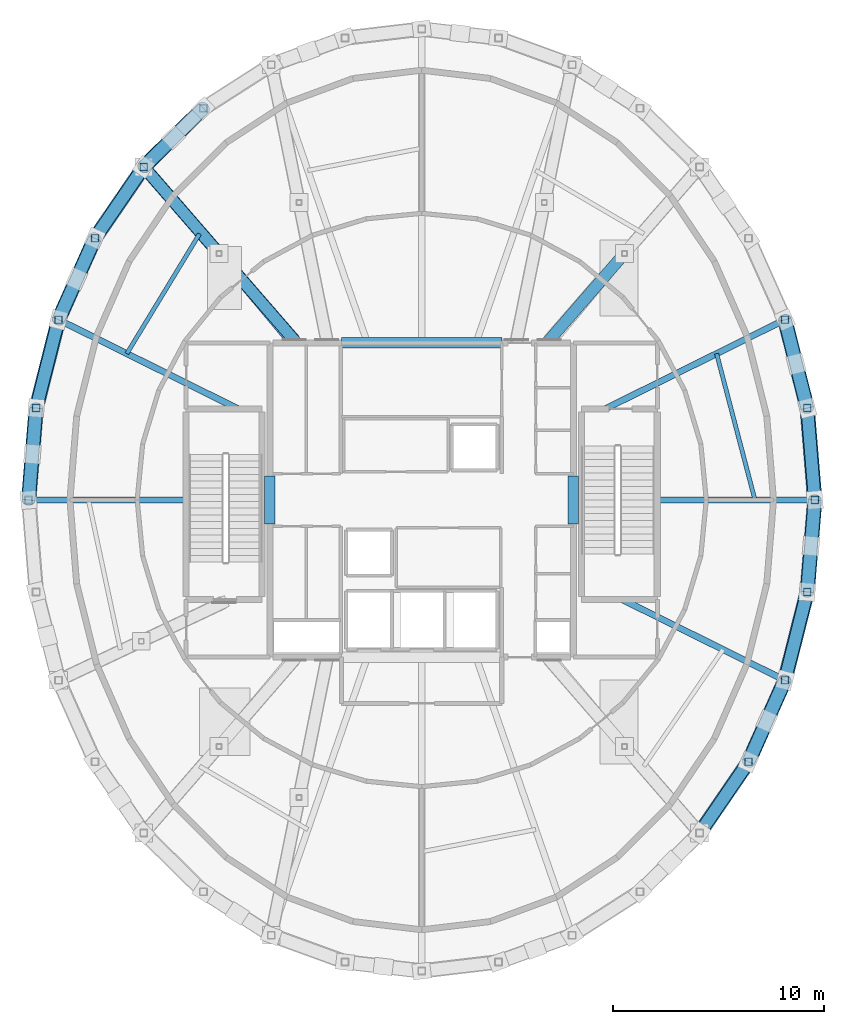
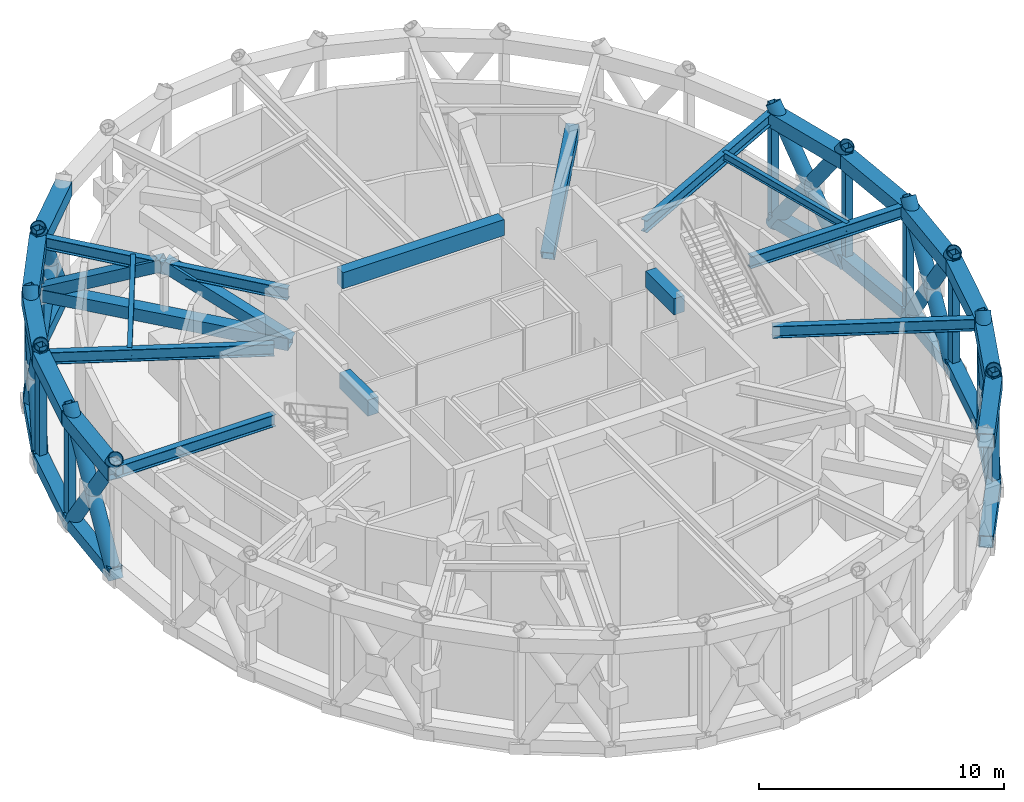
# One storey, part 3 of 11: 34 beams, 30 members.
"""IFC4 building model written with IfcOpenShell, lengths in metres."""

from ifc_helpers import new_model, si_unit, direction, frame, origin, origin_2d, place, context, subcontext, project, spatial, rectangle, hollow_rectangle, hollow_circle, i_section, extrude, material, material_profile, profile_set, type_object, element, save


model = new_model("IFC4")

# Units and contexts
model_context = context("Model", 3, precision=1e-05, world=origin(), true_north=direction((0.0, 1.0)))
body_context = subcontext(model_context, "Body", "Model", "MODEL_VIEW")
ifc_project = project(units=[si_unit("LENGTHUNIT", "METRE"), si_unit("AREAUNIT", "SQUARE_METRE"), si_unit("VOLUMEUNIT", "CUBIC_METRE"), si_unit("PLANEANGLEUNIT", "RADIAN"), si_unit("MASSUNIT", "GRAM", prefix="KILO")], contexts=[model_context])

# Site, building, storey
site_placement = place(None, origin())
site = spatial("IfcSite", under=ifc_project, at=site_placement, CompositionType="ELEMENT")
building_placement = place(site_placement, origin())
building = spatial("IfcBuilding", under=site, at=building_placement, Name="Veldorina Hangang Commons", CompositionType="ELEMENT")
storey_placement = place(building_placement, frame((0.0, 0.0, 302.39990234375)))
storey = spatial("IfcBuildingStorey", under=building, at=storey_placement, Name="L79", CompositionType="ELEMENT", Elevation=302.39990234375)

# Beams
ifc_material_1 = material(Name="Steel SM460-TMC", Category="steel")
ifc_material_profile_1 = material_profile(ifc_material_1, hollow_rectangle(XDim=0.60009765625, YDim=0.60009765625, WallThickness=0.030029296875, at=origin_2d()), Name="BOX-600x600x30")
ifc_profile_set_1 = profile_set([ifc_material_profile_1], Name="Steel SM460-TMC")
beam_type_1 = type_object("IfcBeamType", Name="BM-BLT600", PredefinedType="BEAM", material=ifc_profile_set_1)
beam_1_placement = place(storey_placement, frame((50.64990234375, 24.0, 0.300048828125), z_axis=(-0.081918593902, 0.996639023906, 0.0), x_axis=(-0.996639023906, -0.081918593902, 0.0)))
element("IfcBeam", 1, at=beam_1_placement, inside=storey, type_object=beam_type_1, Name="L79 perimeter belt truss bottom chord 00", PredefinedType="BEAM", context=body_context, shape_type="SweptSolid", body=[
    extrude(hollow_rectangle(XDim=0.60009765625, YDim=0.60009765625, WallThickness=0.030029296875, at=origin_2d()), origin(), (0.0, 0.0, 1.0), 4.375),
])
beam_2_placement = place(storey_placement, frame((50.29150390625, 28.3603515625, 0.300048828125), z_axis=(-0.245337252872, 0.969437791894, 0.0), x_axis=(-0.969437791894, -0.245337252872, 0.0)))
element("IfcBeam", 2, at=beam_2_placement, inside=storey, type_object=beam_type_1, Name="L79 perimeter belt truss bottom chord 01", PredefinedType="BEAM", context=body_context, shape_type="SweptSolid", body=[
    extrude(hollow_rectangle(XDim=0.60009765625, YDim=0.60009765625, WallThickness=0.030029296875, at=origin_2d()), origin(), (0.0, 0.0, 1.0), 4.32470703125),
])
beam_3_placement = place(storey_placement, frame((21.638671875, 42.583251953125, 0.300048828125), z_axis=(-0.71296414879, -0.701200486694, 0.0), x_axis=(0.701200486694, -0.71296414879, 0.0)))
element("IfcBeam", 3, at=beam_3_placement, inside=storey, type_object=beam_type_1, Name="L79 perimeter belt truss bottom chord 11", PredefinedType="BEAM", context=body_context, shape_type="SweptSolid", body=[
    extrude(hollow_rectangle(XDim=0.60009765625, YDim=0.60009765625, WallThickness=0.030029296875, at=origin_2d()), origin(), (0.0, 0.0, 1.0), 3.9638671875),
])
beam_4_placement = place(storey_placement, frame((18.8125, 39.8037109375, 0.300048828125), z_axis=(-0.565033546044, -0.825067931655, 0.0), x_axis=(0.825067931655, -0.565033546044, 0.0)))
element("IfcBeam", 4, at=beam_4_placement, inside=storey, type_object=beam_type_1, Name="L79 perimeter belt truss bottom chord 12", PredefinedType="BEAM", context=body_context, shape_type="SweptSolid", body=[
    extrude(hollow_rectangle(XDim=0.60009765625, YDim=0.60009765625, WallThickness=0.030029296875, at=origin_2d()), origin(), (0.0, 0.0, 1.0), 4.104736328125),
])
beam_5_placement = place(storey_placement, frame((16.4931640625, 36.4169921875, 0.300048828125), z_axis=(-0.407380183428, -0.913258663331, 0.0), x_axis=(0.913258663331, -0.407380183428, 0.0)))
element("IfcBeam", 5, at=beam_5_placement, inside=storey, type_object=beam_type_1, Name="L79 perimeter belt truss bottom chord 13", PredefinedType="BEAM", context=body_context, shape_type="SweptSolid", body=[
    extrude(hollow_rectangle(XDim=0.60009765625, YDim=0.60009765625, WallThickness=0.030029296875, at=origin_2d()), origin(), (0.0, 0.0, 1.0), 4.23095703125),
])
beam_6_placement = place(storey_placement, frame((14.76953125, 32.552978515625, 0.300048828125), z_axis=(-0.245337252872, -0.969437791894, 0.0), x_axis=(0.969437791894, -0.245337252872, 0.0)))
element("IfcBeam", 6, at=beam_6_placement, inside=storey, type_object=beam_type_1, Name="L79 perimeter belt truss bottom chord 14", PredefinedType="BEAM", context=body_context, shape_type="SweptSolid", body=[
    extrude(hollow_rectangle(XDim=0.60009765625, YDim=0.60009765625, WallThickness=0.030029296875, at=origin_2d()), origin(), (0.0, 0.0, 1.0), 4.32470703125),
])
beam_7_placement = place(storey_placement, frame((13.70849609375, 28.3603515625, 0.300048828125), z_axis=(-0.081918593902, -0.996639023906, 0.0), x_axis=(0.996639023906, -0.081918593902, 0.0)))
element("IfcBeam", 7, at=beam_7_placement, inside=storey, type_object=beam_type_1, Name="L79 perimeter belt truss bottom chord 15", PredefinedType="BEAM", context=body_context, shape_type="SweptSolid", body=[
    extrude(hollow_rectangle(XDim=0.60009765625, YDim=0.60009765625, WallThickness=0.030029296875, at=origin_2d()), origin(), (0.0, 0.0, 1.0), 4.375),
])
beam_8_placement = place(storey_placement, frame((45.1875, 8.1962890625, 0.300048828125), z_axis=(0.565033546044, 0.825067931655, 0.0), x_axis=(-0.825067931655, 0.565033546044, 0.0)))
element("IfcBeam", 8, at=beam_8_placement, inside=storey, type_object=beam_type_1, Name="L79 perimeter belt truss bottom chord 28", PredefinedType="BEAM", context=body_context, shape_type="SweptSolid", body=[
    extrude(hollow_rectangle(XDim=0.60009765625, YDim=0.60009765625, WallThickness=0.030029296875, at=origin_2d()), origin(), (0.0, 0.0, 1.0), 4.104736328125),
])
beam_9_placement = place(storey_placement, frame((47.5068359375, 11.5830078125, 0.300048828125), z_axis=(0.407380183428, 0.913258663331, 0.0), x_axis=(-0.913258663331, 0.407380183428, 0.0)))
element("IfcBeam", 9, at=beam_9_placement, inside=storey, type_object=beam_type_1, Name="L79 perimeter belt truss bottom chord 29", PredefinedType="BEAM", context=body_context, shape_type="SweptSolid", body=[
    extrude(hollow_rectangle(XDim=0.60009765625, YDim=0.60009765625, WallThickness=0.030029296875, at=origin_2d()), origin(), (0.0, 0.0, 1.0), 4.23095703125),
])
beam_10_placement = place(storey_placement, frame((49.23046875, 15.447021484375, 0.300048828125), z_axis=(0.245337252872, 0.969437791894, 0.0), x_axis=(-0.969437791894, 0.245337252872, 0.0)))
element("IfcBeam", 10, at=beam_10_placement, inside=storey, type_object=beam_type_1, Name="L79 perimeter belt truss bottom chord 30", PredefinedType="BEAM", context=body_context, shape_type="SweptSolid", body=[
    extrude(hollow_rectangle(XDim=0.60009765625, YDim=0.60009765625, WallThickness=0.030029296875, at=origin_2d()), origin(), (0.0, 0.0, 1.0), 4.32470703125),
])
beam_11_placement = place(storey_placement, frame((50.29150390625, 19.6396484375, 0.300048828125), z_axis=(0.081918593902, 0.996639023906, 0.0), x_axis=(-0.996639023906, 0.081918593902, 0.0)))
element("IfcBeam", 11, at=beam_11_placement, inside=storey, type_object=beam_type_1, Name="L79 perimeter belt truss bottom chord 31", PredefinedType="BEAM", context=body_context, shape_type="SweptSolid", body=[
    extrude(hollow_rectangle(XDim=0.60009765625, YDim=0.60009765625, WallThickness=0.030029296875, at=origin_2d()), origin(), (0.0, 0.0, 1.0), 4.375),
])
beam_12_placement = place(storey_placement, frame((25.949951171875, 31.580078125, 2.85009765625), z_axis=(-0.655470688374, 0.755220614578, 0.0), x_axis=(-0.755220614578, -0.655470688374, 0.0)))
element("IfcBeam", 12, at=beam_12_placement, inside=storey, type_object=beam_type_1, Name="L79 outrigger chord 04", PredefinedType="BEAM", context=body_context, shape_type="SweptSolid", body=[
    extrude(hollow_rectangle(XDim=0.60009765625, YDim=0.60009765625, WallThickness=0.030029296875, at=origin_2d()), origin(), (0.0, 0.0, 1.0), 10.88916015625),
])
ifc_material_profile_2 = material_profile(ifc_material_1, hollow_rectangle(XDim=0.699951171875, YDim=0.699951171875, WallThickness=0.034912109375, at=origin_2d()), Name="BOX-700x700x35")
ifc_profile_set_2 = profile_set([ifc_material_profile_2], Name="Steel SM460-TMC")
beam_type_2 = type_object("IfcBeamType", Name="BM-BLT700", PredefinedType="BEAM", material=ifc_profile_set_2)
beam_13_placement = place(storey_placement, frame((50.64990234375, 24.0, 5.330078125), z_axis=(-0.081918593902, 0.996639023906, 0.0), x_axis=(-0.996639023906, -0.081918593902, 0.0)))
element("IfcBeam", 13, at=beam_13_placement, inside=storey, type_object=beam_type_2, Name="L79 perimeter hoop ring beam 00", PredefinedType="BEAM", context=body_context, shape_type="SweptSolid", body=[
    extrude(hollow_rectangle(XDim=0.699951171875, YDim=0.699951171875, WallThickness=0.034912109375, at=origin_2d()), origin(), (0.0, 0.0, 1.0), 4.375),
])
beam_14_placement = place(storey_placement, frame((50.29150390625, 28.3603515625, 5.330078125), z_axis=(-0.245337252872, 0.969437791894, 0.0), x_axis=(-0.969437791894, -0.245337252872, 0.0)))
element("IfcBeam", 14, at=beam_14_placement, inside=storey, type_object=beam_type_2, Name="L79 perimeter hoop ring beam 01", PredefinedType="BEAM", context=body_context, shape_type="SweptSolid", body=[
    extrude(hollow_rectangle(XDim=0.699951171875, YDim=0.699951171875, WallThickness=0.034912109375, at=origin_2d()), origin(), (0.0, 0.0, 1.0), 4.32470703125),
])
beam_15_placement = place(storey_placement, frame((21.638671875, 42.583251953125, 5.330078125), z_axis=(-0.71296414879, -0.701200486694, 0.0), x_axis=(0.701200486694, -0.71296414879, 0.0)))
element("IfcBeam", 15, at=beam_15_placement, inside=storey, type_object=beam_type_2, Name="L79 perimeter hoop ring beam 11", PredefinedType="BEAM", context=body_context, shape_type="SweptSolid", body=[
    extrude(hollow_rectangle(XDim=0.699951171875, YDim=0.699951171875, WallThickness=0.034912109375, at=origin_2d()), origin(), (0.0, 0.0, 1.0), 3.9638671875),
])
beam_16_placement = place(storey_placement, frame((18.8125, 39.8037109375, 5.330078125), z_axis=(-0.565033546044, -0.825067931655, 0.0), x_axis=(0.825067931655, -0.565033546044, 0.0)))
element("IfcBeam", 16, at=beam_16_placement, inside=storey, type_object=beam_type_2, Name="L79 perimeter hoop ring beam 12", PredefinedType="BEAM", context=body_context, shape_type="SweptSolid", body=[
    extrude(hollow_rectangle(XDim=0.699951171875, YDim=0.699951171875, WallThickness=0.034912109375, at=origin_2d()), origin(), (0.0, 0.0, 1.0), 4.104736328125),
])
beam_17_placement = place(storey_placement, frame((16.4931640625, 36.4169921875, 5.330078125), z_axis=(-0.407380183428, -0.913258663331, 0.0), x_axis=(0.913258663331, -0.407380183428, 0.0)))
element("IfcBeam", 17, at=beam_17_placement, inside=storey, type_object=beam_type_2, Name="L79 perimeter hoop ring beam 13", PredefinedType="BEAM", context=body_context, shape_type="SweptSolid", body=[
    extrude(hollow_rectangle(XDim=0.699951171875, YDim=0.699951171875, WallThickness=0.034912109375, at=origin_2d()), origin(), (0.0, 0.0, 1.0), 4.23095703125),
])
beam_18_placement = place(storey_placement, frame((14.76953125, 32.552978515625, 5.330078125), z_axis=(-0.245337252872, -0.969437791894, 0.0), x_axis=(0.969437791894, -0.245337252872, 0.0)))
element("IfcBeam", 18, at=beam_18_placement, inside=storey, type_object=beam_type_2, Name="L79 perimeter hoop ring beam 14", PredefinedType="BEAM", context=body_context, shape_type="SweptSolid", body=[
    extrude(hollow_rectangle(XDim=0.699951171875, YDim=0.699951171875, WallThickness=0.034912109375, at=origin_2d()), origin(), (0.0, 0.0, 1.0), 4.32470703125),
])
beam_19_placement = place(storey_placement, frame((13.70849609375, 28.3603515625, 5.330078125), z_axis=(-0.081918593902, -0.996639023906, 0.0), x_axis=(0.996639023906, -0.081918593902, 0.0)))
element("IfcBeam", 19, at=beam_19_placement, inside=storey, type_object=beam_type_2, Name="L79 perimeter hoop ring beam 15", PredefinedType="BEAM", context=body_context, shape_type="SweptSolid", body=[
    extrude(hollow_rectangle(XDim=0.699951171875, YDim=0.699951171875, WallThickness=0.034912109375, at=origin_2d()), origin(), (0.0, 0.0, 1.0), 4.375),
])
beam_20_placement = place(storey_placement, frame((45.1875, 8.1962890625, 5.330078125), z_axis=(0.565033546044, 0.825067931655, 0.0), x_axis=(-0.825067931655, 0.565033546044, 0.0)))
element("IfcBeam", 20, at=beam_20_placement, inside=storey, type_object=beam_type_2, Name="L79 perimeter hoop ring beam 28", PredefinedType="BEAM", context=body_context, shape_type="SweptSolid", body=[
    extrude(hollow_rectangle(XDim=0.699951171875, YDim=0.699951171875, WallThickness=0.034912109375, at=origin_2d()), origin(), (0.0, 0.0, 1.0), 4.104736328125),
])
beam_21_placement = place(storey_placement, frame((47.5068359375, 11.5830078125, 5.330078125), z_axis=(0.407380183428, 0.913258663331, 0.0), x_axis=(-0.913258663331, 0.407380183428, 0.0)))
element("IfcBeam", 21, at=beam_21_placement, inside=storey, type_object=beam_type_2, Name="L79 perimeter hoop ring beam 29", PredefinedType="BEAM", context=body_context, shape_type="SweptSolid", body=[
    extrude(hollow_rectangle(XDim=0.699951171875, YDim=0.699951171875, WallThickness=0.034912109375, at=origin_2d()), origin(), (0.0, 0.0, 1.0), 4.23095703125),
])
beam_22_placement = place(storey_placement, frame((49.23046875, 15.447021484375, 5.330078125), z_axis=(0.245337252872, 0.969437791894, 0.0), x_axis=(-0.969437791894, 0.245337252872, 0.0)))
element("IfcBeam", 22, at=beam_22_placement, inside=storey, type_object=beam_type_2, Name="L79 perimeter hoop ring beam 30", PredefinedType="BEAM", context=body_context, shape_type="SweptSolid", body=[
    extrude(hollow_rectangle(XDim=0.699951171875, YDim=0.699951171875, WallThickness=0.034912109375, at=origin_2d()), origin(), (0.0, 0.0, 1.0), 4.32470703125),
])
beam_23_placement = place(storey_placement, frame((50.29150390625, 19.6396484375, 5.330078125), z_axis=(0.081918593902, 0.996639023906, 0.0), x_axis=(-0.996639023906, 0.081918593902, 0.0)))
element("IfcBeam", 23, at=beam_23_placement, inside=storey, type_object=beam_type_2, Name="L79 perimeter hoop ring beam 31", PredefinedType="BEAM", context=body_context, shape_type="SweptSolid", body=[
    extrude(hollow_rectangle(XDim=0.699951171875, YDim=0.699951171875, WallThickness=0.034912109375, at=origin_2d()), origin(), (0.0, 0.0, 1.0), 4.375),
])
ifc_material_2 = material(Name="Concrete C50/60", Category="concrete")
ifc_material_profile_3 = material_profile(ifc_material_2, rectangle(XDim=0.5, YDim=0.800048828125, at=origin_2d()), Name="RC-CB-500x800")
ifc_profile_set_3 = profile_set([ifc_material_profile_3], Name="Concrete C50/60")
beam_type_3 = type_object("IfcBeamType", Name="BM-CB800", PredefinedType="LINTEL", material=ifc_profile_set_3)
for number, where, z_axis, x_axis, name in (
    (24, (24.800048828125, 22.85009765625, 5.280029296875), (0.0, 1.0, 0.0), (-1.0, 0.0, 0.0), "L79 W core coupling lintel beam"),
    (25, (39.199951171875, 22.85009765625, 5.280029296875), (0.0, 1.0, 0.0), (-1.0, 0.0, 0.0), "L79 E core coupling lintel beam"),
):
    element("IfcBeam", number, at=place(storey_placement, frame(where, z_axis=z_axis, x_axis=x_axis)), inside=storey, type_object=beam_type_3, Name=name, PredefinedType="LINTEL", context=body_context, shape_type="SweptSolid", body=[
        extrude(rectangle(XDim=0.5, YDim=0.800048828125, at=origin_2d()), origin(), (0.0, 0.0, 1.0), 2.2998046875),
    ])
beam_24_placement = place(storey_placement, frame((28.199951171875, 31.449951171875, 5.280029296875), z_axis=(1.0, 0.0, 0.0), x_axis=(0.0, 1.0, 0.0)))
element("IfcBeam", 26, at=beam_24_placement, inside=storey, type_object=beam_type_3, Name="L79 north core coupling beam", PredefinedType="LINTEL", context=body_context, shape_type="SweptSolid", body=[
    extrude(rectangle(XDim=0.5, YDim=0.800048828125, at=origin_2d()), origin(), (0.0, 0.0, 1.0), 7.60009765625),
])
ifc_material_profile_4 = material_profile(ifc_material_1, i_section(OverallWidth=0.300048828125, OverallDepth=0.587890625, WebThickness=0.011962890625, FlangeThickness=0.02001953125, FilletRadius=0.01806640625, at=origin_2d()), Name="H-588x300x12x20")
ifc_profile_set_4 = profile_set([ifc_material_profile_4], Name="Steel SM460-TMC")
beam_type_4 = type_object("IfcBeamType", Name="BM-FG588", PredefinedType="BEAM", material=ifc_profile_set_4)
beam_25_placement = place(storey_placement, frame((43.179931640625, 24.0, 5.385986328125), z_axis=(1.0, 0.0, 0.0), x_axis=(0.0, 1.0, 0.0)))
element("IfcBeam", 27, at=beam_25_placement, inside=storey, type_object=beam_type_4, Name="L79 radial floor girder 01", PredefinedType="BEAM", context=body_context, shape_type="SweptSolid", body=[
    extrude(i_section(OverallWidth=0.300048828125, OverallDepth=0.587890625, WebThickness=0.011962890625, FlangeThickness=0.02001953125, FilletRadius=0.01806640625, at=origin_2d()), origin(), (0.0, 0.0, 1.0), 7.469970703125),
])
beam_26_placement = place(storey_placement, frame((40.702880859375, 28.320068359375, 5.385986328125), z_axis=(0.895721014961, 0.444616535182, 0.0), x_axis=(-0.444616535182, 0.895721014961, 0.0)))
element("IfcBeam", 28, at=beam_26_placement, inside=storey, type_object=beam_type_4, Name="L79 radial floor girder 02", PredefinedType="BEAM", context=body_context, shape_type="SweptSolid", body=[
    extrude(i_section(OverallWidth=0.300048828125, OverallDepth=0.587890625, WebThickness=0.011962890625, FlangeThickness=0.02001953125, FilletRadius=0.01806640625, at=origin_2d()), origin(), (0.0, 0.0, 1.0), 9.520263671875),
])
beam_27_placement = place(storey_placement, frame((25.783203125, 31.449951171875, 5.385986328125), z_axis=(-0.640685284005, 0.767803599145, 0.0), x_axis=(-0.767803599145, -0.640685284005, 0.0)))
element("IfcBeam", 29, at=beam_27_placement, inside=storey, type_object=beam_type_4, Name="L79 radial floor girder 07", PredefinedType="BEAM", context=body_context, shape_type="SweptSolid", body=[
    extrude(i_section(OverallWidth=0.300048828125, OverallDepth=0.587890625, WebThickness=0.011962890625, FlangeThickness=0.02001953125, FilletRadius=0.01806640625, at=origin_2d()), origin(), (0.0, 0.0, 1.0), 10.880126953125),
])
beam_28_placement = place(storey_placement, frame((23.297119140625, 28.320068359375, 5.385986328125), z_axis=(-0.895721014961, 0.444616535182, 0.0), x_axis=(-0.444616535182, -0.895721014961, 0.0)))
element("IfcBeam", 30, at=beam_28_placement, inside=storey, type_object=beam_type_4, Name="L79 radial floor girder 08", PredefinedType="BEAM", context=body_context, shape_type="SweptSolid", body=[
    extrude(i_section(OverallWidth=0.300048828125, OverallDepth=0.587890625, WebThickness=0.011962890625, FlangeThickness=0.02001953125, FilletRadius=0.01806640625, at=origin_2d()), origin(), (0.0, 0.0, 1.0), 9.520263671875),
])
beam_29_placement = place(storey_placement, frame((20.820068359375, 24.0, 5.385986328125), z_axis=(-1.0, 0.0, 0.0), x_axis=(0.0, -1.0, 0.0)))
element("IfcBeam", 31, at=beam_29_placement, inside=storey, type_object=beam_type_4, Name="L79 radial floor girder 09", PredefinedType="BEAM", context=body_context, shape_type="SweptSolid", body=[
    extrude(i_section(OverallWidth=0.300048828125, OverallDepth=0.587890625, WebThickness=0.011962890625, FlangeThickness=0.02001953125, FilletRadius=0.01806640625, at=origin_2d()), origin(), (0.0, 0.0, 1.0), 7.469970703125),
])
beam_30_placement = place(storey_placement, frame((41.5087890625, 19.280029296875, 5.385986328125), z_axis=(0.895714868119, -0.444628918347, 0.0), x_axis=(0.444628918347, 0.895714868119, 0.0)))
element("IfcBeam", 32, at=beam_30_placement, inside=storey, type_object=beam_type_4, Name="L79 radial floor girder 16", PredefinedType="BEAM", context=body_context, shape_type="SweptSolid", body=[
    extrude(i_section(OverallWidth=0.300048828125, OverallDepth=0.587890625, WebThickness=0.011962890625, FlangeThickness=0.02001953125, FilletRadius=0.01806640625, at=origin_2d()), origin(), (0.0, 0.0, 1.0), 8.62060546875),
])
ifc_material_3 = material(Name="Steel SM355-TMC", Category="steel")
ifc_material_profile_5 = material_profile(ifc_material_3, i_section(OverallWidth=0.199951171875, OverallDepth=0.39990234375, WebThickness=0.008056640625, FlangeThickness=0.012939453125, FilletRadius=0.012939453125, at=origin_2d()), Name="H-400x200x8x13")
ifc_profile_set_5 = profile_set([ifc_material_profile_5], Name="Steel SM355-TMC")
beam_type_5 = type_object("IfcBeamType", Name="BM-JST400", PredefinedType="JOIST", material=ifc_profile_set_5)
beam_31_placement = place(storey_placement, frame((47.811279296875, 24.0, 5.47998046875), z_axis=(-0.253681393209, 0.967287832416, 0.0), x_axis=(-0.967287832416, -0.253681393209, 0.0)))
element("IfcBeam", 33, at=beam_31_placement, inside=storey, type_object=beam_type_5, Name="L79 secondary floor joist 01", PredefinedType="JOIST", context=body_context, shape_type="SweptSolid", body=[
    extrude(i_section(OverallWidth=0.199951171875, OverallDepth=0.39990234375, WebThickness=0.008056640625, FlangeThickness=0.012939453125, FilletRadius=0.012939453125, at=origin_2d()), origin(), (0.0, 0.0, 1.0), 7.179443359375),
])
beam_32_placement = place(storey_placement, frame((21.46142578125, 36.62939453125, 5.47998046875), z_axis=(-0.518969512664, -0.854792749691, 0.0), x_axis=(0.854792749691, -0.518969512664, 0.0)))
element("IfcBeam", 34, at=beam_32_placement, inside=storey, type_object=beam_type_5, Name="L79 secondary floor joist 07", PredefinedType="JOIST", context=body_context, shape_type="SweptSolid", body=[
    extrude(i_section(OverallWidth=0.199951171875, OverallDepth=0.39990234375, WebThickness=0.008056640625, FlangeThickness=0.012939453125, FilletRadius=0.012939453125, at=origin_2d()), origin(), (0.0, 0.0, 1.0), 6.650634765625),
])

# Members
ifc_material_profile_6 = material_profile(ifc_material_1, hollow_circle(Radius=0.324951171875, WallThickness=0.031982421875, at=origin_2d()), Name="CHS-650x32")
ifc_profile_set_6 = profile_set([ifc_material_profile_6], Name="Steel SM460-TMC")
member_type_1 = type_object("IfcMemberType", Name="DG-CHS650", PredefinedType="BRACE", material=ifc_profile_set_6)
member_1_placement = place(storey_placement, frame((50.29150390625, 28.3603515625, 0.0), z_axis=(-0.143456610125, 0.566861565963, 0.81122633466), x_axis=(-0.969437791894, -0.245337252872, 0.0)))
element("IfcMember", 35, at=member_1_placement, inside=storey, type_object=member_type_1, Name="L79 continuous perimeter diagrid brace 01", PredefinedType="BRACE", context=body_context, shape_type="SweptSolid", body=[
    extrude(hollow_circle(Radius=0.324951171875, WallThickness=0.031982421875, at=origin_2d()), origin(), (0.0, 0.0, 1.0), 7.396240234375),
])
member_2_placement = place(storey_placement, frame((49.23046875, 32.552978515625, 0.0), z_axis=(0.143453925838, -0.566883967407, 0.811211155408), x_axis=(0.969441189439, 0.245323827256, 0.0)))
element("IfcMember", 36, at=member_2_placement, inside=storey, type_object=member_type_1, Name="L79 split perimeter diagrid lower brace 02", PredefinedType="BRACE", context=body_context, shape_type="SweptSolid", body=[
    extrude(hollow_circle(Radius=0.324951171875, WallThickness=0.031982421875, at=origin_2d()), origin(), (0.0, 0.0, 1.0), 3.6982421875),
])
member_3_placement = place(storey_placement, frame((49.760986328125, 30.45654296875, 3.0), z_axis=(0.143459294406, -0.566839163262, 0.811241513879), x_axis=(0.969434393792, 0.24535067991, 0.0)))
element("IfcMember", 37, at=member_3_placement, inside=storey, type_object=member_type_1, Name="L79 split perimeter diagrid upper brace 02", PredefinedType="BRACE", context=body_context, shape_type="SweptSolid", body=[
    extrude(hollow_circle(Radius=0.324951171875, WallThickness=0.031982421875, at=origin_2d()), origin(), (0.0, 0.0, 1.0), 3.697998046875),
])
member_4_placement = place(storey_placement, frame((21.638671875, 42.583251953125, 0.0), z_axis=(-0.393005204485, -0.386520754411, 0.834355209522), x_axis=(0.701200486694, -0.71296414879, 0.0)))
element("IfcMember", 38, at=member_4_placement, inside=storey, type_object=member_type_1, Name="L79 continuous perimeter diagrid brace 11", PredefinedType="BRACE", context=body_context, shape_type="SweptSolid", body=[
    extrude(hollow_circle(Radius=0.324951171875, WallThickness=0.031982421875, at=origin_2d()), origin(), (0.0, 0.0, 1.0), 7.191162109375),
])
member_5_placement = place(storey_placement, frame((18.8125, 39.8037109375, 0.0), z_axis=(0.393000047197, 0.386549631771, 0.834344260531), x_axis=(-0.70123179189, 0.712933358767, 0.0)))
element("IfcMember", 39, at=member_5_placement, inside=storey, type_object=member_type_1, Name="L79 split perimeter diagrid lower brace 12", PredefinedType="BRACE", context=body_context, shape_type="SweptSolid", body=[
    extrude(hollow_circle(Radius=0.324951171875, WallThickness=0.031982421875, at=origin_2d()), origin(), (0.0, 0.0, 1.0), 3.595703125),
])
member_6_placement = place(storey_placement, frame((16.4931640625, 36.4169921875, 0.0), z_axis=(-0.23477090834, -0.526305830919, 0.817242187444), x_axis=(0.913258663331, -0.407380183428, 0.0)))
element("IfcMember", 40, at=member_6_placement, inside=storey, type_object=member_type_1, Name="L79 continuous perimeter diagrid brace 13", PredefinedType="BRACE", context=body_context, shape_type="SweptSolid", body=[
    extrude(hollow_circle(Radius=0.324951171875, WallThickness=0.031982421875, at=origin_2d()), origin(), (0.0, 0.0, 1.0), 7.341796875),
])
for number, where, z_axis, x_axis, name in (
    (41, (14.76953125, 32.552978515625, 0.0), (0.234766799451, 0.526329872764, 0.817227884321), (-0.913268238814, 0.40735871658, 0.0), "L79 split perimeter diagrid lower brace 14"),
    (42, (15.63134765625, 34.485107421875, 3.0), (0.234775017184, 0.526281787813, 0.817256490413), (-0.913249086335, 0.407401652314, 0.0), "L79 split perimeter diagrid upper brace 14"),
):
    element("IfcMember", number, at=place(storey_placement, frame(where, z_axis=z_axis, x_axis=x_axis)), inside=storey, type_object=member_type_1, Name=name, PredefinedType="BRACE", context=body_context, shape_type="SweptSolid", body=[
        extrude(hollow_circle(Radius=0.324951171875, WallThickness=0.031982421875, at=origin_2d()), origin(), (0.0, 0.0, 1.0), 3.6708984375),
    ])
member_7_placement = place(storey_placement, frame((13.70849609375, 28.3603515625, 0.0), z_axis=(-0.048264558189, -0.587196872792, 0.808003938732), x_axis=(0.996639023906, -0.081918593902, 0.0)))
element("IfcMember", 43, at=member_7_placement, inside=storey, type_object=member_type_1, Name="L79 continuous perimeter diagrid brace 15", PredefinedType="BRACE", context=body_context, shape_type="SweptSolid", body=[
    extrude(hollow_circle(Radius=0.324951171875, WallThickness=0.031982421875, at=origin_2d()), origin(), (0.0, 0.0, 1.0), 7.42578125),
])
for number, where, z_axis, x_axis, name in (
    (44, (13.35009765625, 24.0, 0.0), (0.048264558189, 0.587196872792, 0.808003938732), (-0.996639023906, 0.081918593902, 0.0), "L79 split perimeter diagrid lower brace 16"),
    (45, (13.529296875, 26.18017578125, 3.0), (0.048264558189, 0.587196872792, 0.808003938732), (-0.996639023906, 0.081918593902, 0.0), "L79 split perimeter diagrid upper brace 16"),
):
    element("IfcMember", number, at=place(storey_placement, frame(where, z_axis=z_axis, x_axis=x_axis)), inside=storey, type_object=member_type_1, Name=name, PredefinedType="BRACE", context=body_context, shape_type="SweptSolid", body=[
        extrude(hollow_circle(Radius=0.324951171875, WallThickness=0.031982421875, at=origin_2d()), origin(), (0.0, 0.0, 1.0), 3.712890625),
    ])
member_8_placement = place(storey_placement, frame((47.5068359375, 11.5830078125, 0.0), z_axis=(0.23477090834, 0.526305830919, 0.817242187444), x_axis=(-0.913258663331, 0.407380183428, 0.0)))
element("IfcMember", 46, at=member_8_placement, inside=storey, type_object=member_type_1, Name="L79 continuous perimeter diagrid brace 29", PredefinedType="BRACE", context=body_context, shape_type="SweptSolid", body=[
    extrude(hollow_circle(Radius=0.324951171875, WallThickness=0.031982421875, at=origin_2d()), origin(), (0.0, 0.0, 1.0), 7.341796875),
])
for number, where, z_axis, x_axis, name in (
    (47, (49.23046875, 15.447021484375, 0.0), (-0.234766799451, -0.526329872764, 0.817227884321), (0.913268238814, -0.40735871658, 0.0), "L79 split perimeter diagrid lower brace 30"),
    (48, (48.36865234375, 13.514892578125, 3.0), (-0.234775017184, -0.526281787813, 0.817256490413), (0.913249086335, -0.407401652314, 0.0), "L79 split perimeter diagrid upper brace 30"),
):
    element("IfcMember", number, at=place(storey_placement, frame(where, z_axis=z_axis, x_axis=x_axis)), inside=storey, type_object=member_type_1, Name=name, PredefinedType="BRACE", context=body_context, shape_type="SweptSolid", body=[
        extrude(hollow_circle(Radius=0.324951171875, WallThickness=0.031982421875, at=origin_2d()), origin(), (0.0, 0.0, 1.0), 3.6708984375),
    ])
member_9_placement = place(storey_placement, frame((50.29150390625, 19.6396484375, 0.0), z_axis=(0.048264558189, 0.587196872792, 0.808003938732), x_axis=(-0.996639023906, 0.081918593902, 0.0)))
element("IfcMember", 49, at=member_9_placement, inside=storey, type_object=member_type_1, Name="L79 continuous perimeter diagrid brace 31", PredefinedType="BRACE", context=body_context, shape_type="SweptSolid", body=[
    extrude(hollow_circle(Radius=0.324951171875, WallThickness=0.031982421875, at=origin_2d()), origin(), (0.0, 0.0, 1.0), 7.42578125),
])
for number, where, z_axis, x_axis, name in (
    (50, (50.64990234375, 24.0, 0.0), (-0.048264558189, -0.587196872792, 0.808003938732), (0.996639023906, -0.081918593902, 0.0), "L79 split perimeter diagrid lower brace 00"),
    (51, (50.470703125, 21.81982421875, 3.0), (-0.048264558189, -0.587196872792, 0.808003938732), (0.996639023906, -0.081918593902, 0.0), "L79 split perimeter diagrid upper brace 00"),
):
    element("IfcMember", number, at=place(storey_placement, frame(where, z_axis=z_axis, x_axis=x_axis)), inside=storey, type_object=member_type_1, Name=name, PredefinedType="BRACE", context=body_context, shape_type="SweptSolid", body=[
        extrude(hollow_circle(Radius=0.324951171875, WallThickness=0.031982421875, at=origin_2d()), origin(), (0.0, 0.0, 1.0), 3.712890625),
    ])
ifc_material_4 = material(Name="Steel SM420-TMC", Category="steel")
ifc_material_profile_7 = material_profile(ifc_material_4, hollow_rectangle(XDim=0.550048828125, YDim=0.550048828125, WallThickness=0.02490234375, at=origin_2d()), Name="BOX-550x550x25")
ifc_profile_set_7 = profile_set([ifc_material_profile_7], Name="Steel SM420-TMC")
member_type_2 = type_object("IfcMemberType", Name="OR-BOX550", PredefinedType="BRACE", material=ifc_profile_set_7)
for number, where, z_axis, x_axis, name in (
    (52, (38.050048828125, 31.580078125, 2.85009765625), (0.588075146009, 0.677591955195, 0.441629669408), (-0.755231713465, 0.655457900232, 0.0), "L79 outrigger inner web diagonal 01"),
    (53, (25.949951171875, 31.580078125, 2.85009765625), (-0.588075146009, 0.677591955195, 0.441629669408), (-0.755231713465, -0.655457900232, 0.0), "L79 outrigger inner web diagonal 04"),
    (54, (22.38134765625, 35.69189453125, 5.530029296875), (-0.588101463726, 0.677575923661, -0.44161922064), (-0.7552095158, -0.655483475951, 0.0), "L79 outrigger outer web diagonal 04"),
):
    element("IfcMember", number, at=place(storey_placement, frame(where, z_axis=z_axis, x_axis=x_axis)), inside=storey, type_object=member_type_2, Name=name, PredefinedType="BRACE", context=body_context, shape_type="SweptSolid", body=[
        extrude(hollow_rectangle(XDim=0.550048828125, YDim=0.550048828125, WallThickness=0.02490234375, at=origin_2d()), origin(), (0.0, 0.0, 1.0), 6.068359375),
    ])
ifc_material_profile_8 = material_profile(ifc_material_3, hollow_rectangle(XDim=0.35009765625, YDim=0.35009765625, WallThickness=0.01611328125, at=origin_2d()), Name="SHS-350x350x16")
ifc_profile_set_8 = profile_set([ifc_material_profile_8], Name="Steel SM355-TMC")
member_type_3 = type_object("IfcMemberType", Name="STR-SHS350", PredefinedType="STRUT", material=ifc_profile_set_8)
for number, where, z_axis, x_axis, name in (
    (55, (50.64990234375, 24.0, 0.0), (0.0, 0.0, 1.0), (1.0, 0.0, 0.0), "L79 perimeter ring node post 00"),
    (56, (50.29150390625, 28.3603515625, 0.0), (0.0, 0.0, 1.0), (1.0, 0.0, 0.0), "L79 perimeter ring node post 01"),
    (57, (49.23046875, 32.552978515625, 0.0), (0.0, 0.0, 1.0), (1.0, 0.0, 0.0), "L79 perimeter ring node post 02"),
    (58, (18.8125, 39.8037109375, 0.0), (0.0, 0.0, 1.0), (1.0, 0.0, 0.0), "L79 perimeter ring node post 12"),
    (59, (16.4931640625, 36.4169921875, 0.0), (0.0, 0.0, 1.0), (1.0, 0.0, 0.0), "L79 perimeter ring node post 13"),
    (60, (14.76953125, 32.552978515625, 0.0), (0.0, 0.0, 1.0), (1.0, 0.0, 0.0), "L79 perimeter ring node post 14"),
    (61, (13.70849609375, 28.3603515625, 0.0), (0.0, 0.0, 1.0), (1.0, 0.0, 0.0), "L79 perimeter ring node post 15"),
    (62, (47.5068359375, 11.5830078125, 0.0), (0.0, 0.0, 1.0), (1.0, 0.0, 0.0), "L79 perimeter ring node post 29"),
    (63, (49.23046875, 15.447021484375, 0.0), (0.0, 0.0, 1.0), (1.0, 0.0, 0.0), "L79 perimeter ring node post 30"),
    (64, (50.29150390625, 19.6396484375, 0.0), (0.0, 0.0, 1.0), (1.0, 0.0, 0.0), "L79 perimeter ring node post 31"),
):
    element("IfcMember", number, at=place(storey_placement, frame(where, z_axis=z_axis, x_axis=x_axis)), inside=storey, type_object=member_type_3, Name=name, PredefinedType="STRUT", context=body_context, shape_type="SweptSolid", body=[
        extrude(hollow_rectangle(XDim=0.35009765625, YDim=0.35009765625, WallThickness=0.01611328125, at=origin_2d()), origin(), (0.0, 0.0, 1.0), 6.0),
    ])

save(model, "model.ifc")
